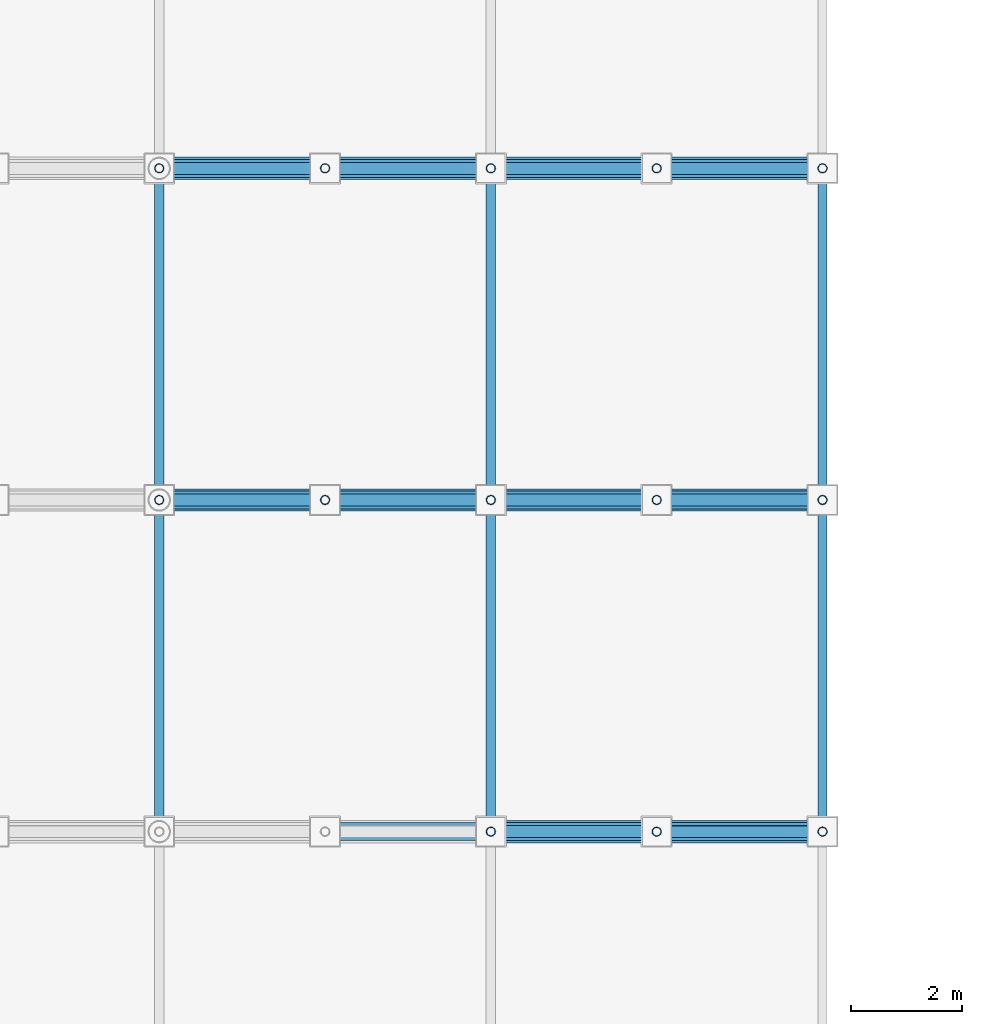
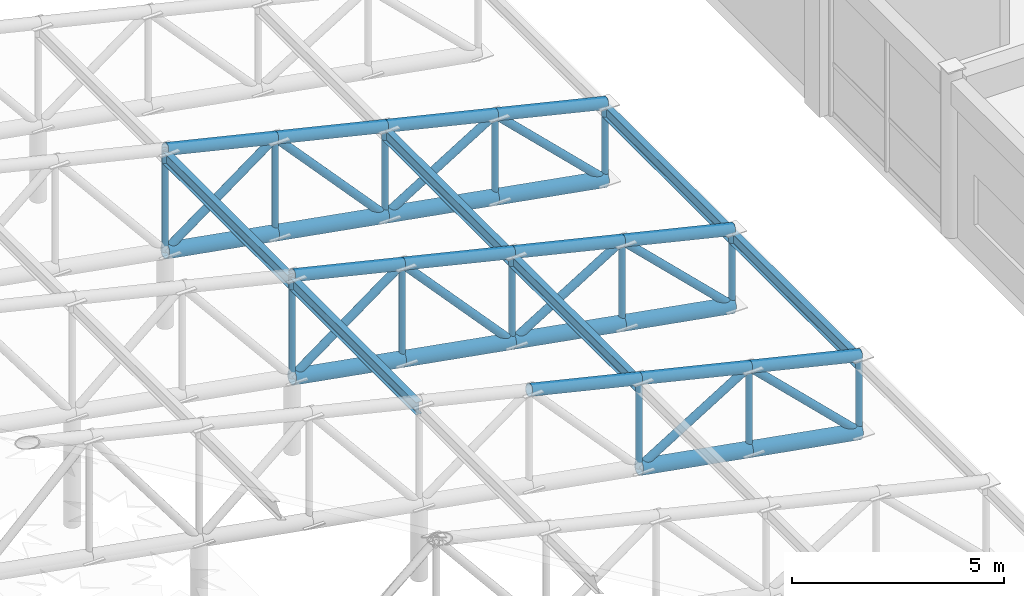
# One storey, part 65 of 112: 44 members, 6 beams.
"""IFC4 building model written with IfcOpenShell, lengths in metres."""

from ifc_helpers import new_model, si_unit, direction, frame, origin, origin_2d, place, context, subcontext, project, spatial, hollow_circle, i_section, extrude, material, material_profile, profile_set, type_object, element, save


model = new_model("IFC4")

# Units and contexts
model_context = context("Model", 3, precision=1e-05, world=origin(), true_north=direction((0.0, 1.0)))
body_context = subcontext(model_context, "Body", "Model", "MODEL_VIEW")
ifc_project = project(units=[si_unit("LENGTHUNIT", "METRE"), si_unit("AREAUNIT", "SQUARE_METRE"), si_unit("VOLUMEUNIT", "CUBIC_METRE"), si_unit("PLANEANGLEUNIT", "RADIAN"), si_unit("MASSUNIT", "GRAM", prefix="KILO"), si_unit("THERMODYNAMICTEMPERATUREUNIT", "KELVIN"), si_unit("POWERUNIT", "WATT")], contexts=[model_context])

# Site, building, storey
site_placement = place(None, origin())
site = spatial("IfcSite", under=ifc_project, at=site_placement, CompositionType="ELEMENT")
building_placement = place(site_placement, origin())
building = spatial("IfcBuilding", under=site, at=building_placement, Name="Phaisarnlok Congress Hotel", CompositionType="ELEMENT")
storey_placement = place(building_placement, frame((0.0, 0.0, 19.800048828125)))
storey = spatial("IfcBuildingStorey", under=building, at=storey_placement, Name="L04", CompositionType="ELEMENT", Elevation=19.800048828125)

# Beams
ifc_material = material(Name="Steel S355", Category="steel")
ifc_material_profile_1 = material_profile(ifc_material, i_section(OverallWidth=0.169921875, OverallDepth=0.360107421875, WebThickness=0.008056640625, FlangeThickness=0.0126953125, FilletRadius=0.01806640625, at=origin_2d()), Name="IPE 360")
ifc_profile_set_1 = profile_set([ifc_material_profile_1], Name="Steel S355")
beam_type = type_object("IfcBeamType", Name="JS-STL-IPE360", PredefinedType="JOIST", material=ifc_profile_set_1)
for number, where, z_axis, x_axis, name in (
    (1, (156.0, 66.0, 2.008056640625), (0.0, 1.0, 0.0), (-1.0, 0.0, 0.0), "Cloister wing roof purlin"),
    (2, (150.0, 66.0, 3.43994140625), (0.0, 1.0, 0.0), (-1.0, 0.0, 0.0), "Cloister wing roof purlin"),
    (3, (144.0, 66.0, 4.8720703125), (0.0, 1.0, 0.0), (-1.0, 0.0, 0.0), "Cloister wing roof purlin"),
    (4, (156.0, 72.0, 2.008056640625), (0.0, 1.0, 0.0), (-1.0, 0.0, 0.0), "Cloister wing roof purlin"),
    (5, (150.0, 72.0, 3.43994140625), (0.0, 1.0, 0.0), (-1.0, 0.0, 0.0), "Cloister wing roof purlin"),
    (6, (144.0, 72.0, 4.8720703125), (0.0, 1.0, 0.0), (-1.0, 0.0, 0.0), "Cloister wing roof purlin"),
):
    element("IfcBeam", number, at=place(storey_placement, frame(where, z_axis=z_axis, x_axis=x_axis)), inside=storey, type_object=beam_type, Name=name, PredefinedType="JOIST", context=body_context, shape_type="SweptSolid", body=[
        extrude(i_section(OverallWidth=0.169921875, OverallDepth=0.360107421875, WebThickness=0.008056640625, FlangeThickness=0.0126953125, FilletRadius=0.01806640625, at=origin_2d()), origin(), (0.0, 0.0, 1.0), 6.0),
    ])

# Members
ifc_material_profile_2 = material_profile(ifc_material, hollow_circle(Radius=0.084228515625, WallThickness=0.010009765625, at=origin_2d()), Name="CHS 168.3x10")
ifc_profile_set_2 = profile_set([ifc_material_profile_2], Name="Steel S355")
member_type_1 = type_object("IfcMemberType", Name="MEM-BRC-CHS168", PredefinedType="BRACE", material=ifc_profile_set_2)
member_1_placement = place(storey_placement, frame((156.0, 66.0, 0.0), z_axis=(0.0, 0.0, 1.0), x_axis=(1.0, 0.0, 0.0)))
element("IfcMember", 7, at=member_1_placement, inside=storey, type_object=member_type_1, Name="Cloister wing roof truss vertical web", PredefinedType="BRACE", context=body_context, shape_type="SweptSolid", body=[
    extrude(hollow_circle(Radius=0.084228515625, WallThickness=0.010009765625, at=origin_2d()), origin(), (0.0, 0.0, 1.0), 2.199951171875),
])
member_2_placement = place(storey_placement, frame((153.0, 66.0, 0.533203125), z_axis=(0.0, 0.0, 1.0), x_axis=(1.0, 0.0, 0.0)))
element("IfcMember", 8, at=member_2_placement, inside=storey, type_object=member_type_1, Name="Cloister wing roof truss vertical web", PredefinedType="BRACE", context=body_context, shape_type="SweptSolid", body=[
    extrude(hollow_circle(Radius=0.084228515625, WallThickness=0.010009765625, at=origin_2d()), origin(), (0.0, 0.0, 1.0), 2.3828125),
])
member_3_placement = place(storey_placement, frame((150.0, 66.0, 1.066650390625), z_axis=(0.0, 0.0, 1.0), x_axis=(1.0, 0.0, 0.0)))
element("IfcMember", 9, at=member_3_placement, inside=storey, type_object=member_type_1, Name="Cloister wing roof truss vertical web", PredefinedType="BRACE", context=body_context, shape_type="SweptSolid", body=[
    extrude(hollow_circle(Radius=0.084228515625, WallThickness=0.010009765625, at=origin_2d()), origin(), (0.0, 0.0, 1.0), 2.5654296875),
])
member_4_placement = place(storey_placement, frame((156.0, 72.0, 0.0), z_axis=(0.0, 0.0, 1.0), x_axis=(1.0, 0.0, 0.0)))
element("IfcMember", 10, at=member_4_placement, inside=storey, type_object=member_type_1, Name="Cloister wing roof truss vertical web", PredefinedType="BRACE", context=body_context, shape_type="SweptSolid", body=[
    extrude(hollow_circle(Radius=0.084228515625, WallThickness=0.010009765625, at=origin_2d()), origin(), (0.0, 0.0, 1.0), 2.199951171875),
])
member_5_placement = place(storey_placement, frame((153.0, 72.0, 0.533203125), z_axis=(0.0, 0.0, 1.0), x_axis=(1.0, 0.0, 0.0)))
element("IfcMember", 11, at=member_5_placement, inside=storey, type_object=member_type_1, Name="Cloister wing roof truss vertical web", PredefinedType="BRACE", context=body_context, shape_type="SweptSolid", body=[
    extrude(hollow_circle(Radius=0.084228515625, WallThickness=0.010009765625, at=origin_2d()), origin(), (0.0, 0.0, 1.0), 2.3828125),
])
member_6_placement = place(storey_placement, frame((150.0, 72.0, 1.066650390625), z_axis=(0.0, 0.0, 1.0), x_axis=(1.0, 0.0, 0.0)))
element("IfcMember", 12, at=member_6_placement, inside=storey, type_object=member_type_1, Name="Cloister wing roof truss vertical web", PredefinedType="BRACE", context=body_context, shape_type="SweptSolid", body=[
    extrude(hollow_circle(Radius=0.084228515625, WallThickness=0.010009765625, at=origin_2d()), origin(), (0.0, 0.0, 1.0), 2.5654296875),
])
member_7_placement = place(storey_placement, frame((147.0, 72.0, 1.599853515625), z_axis=(0.0, 0.0, 1.0), x_axis=(1.0, 0.0, 0.0)))
element("IfcMember", 13, at=member_7_placement, inside=storey, type_object=member_type_1, Name="Cloister wing roof truss vertical web", PredefinedType="BRACE", context=body_context, shape_type="SweptSolid", body=[
    extrude(hollow_circle(Radius=0.084228515625, WallThickness=0.010009765625, at=origin_2d()), origin(), (0.0, 0.0, 1.0), 2.748291015625),
])
member_8_placement = place(storey_placement, frame((144.0, 72.0, 2.13330078125), z_axis=(0.0, 0.0, 1.0), x_axis=(1.0, 0.0, 0.0)))
element("IfcMember", 14, at=member_8_placement, inside=storey, type_object=member_type_1, Name="Cloister wing roof truss vertical web", PredefinedType="BRACE", context=body_context, shape_type="SweptSolid", body=[
    extrude(hollow_circle(Radius=0.084228515625, WallThickness=0.010009765625, at=origin_2d()), origin(), (0.0, 0.0, 1.0), 2.930908203125),
])
member_9_placement = place(storey_placement, frame((156.0, 78.0, 0.0), z_axis=(0.0, 0.0, 1.0), x_axis=(1.0, 0.0, 0.0)))
element("IfcMember", 15, at=member_9_placement, inside=storey, type_object=member_type_1, Name="Cloister wing roof truss vertical web", PredefinedType="BRACE", context=body_context, shape_type="SweptSolid", body=[
    extrude(hollow_circle(Radius=0.084228515625, WallThickness=0.010009765625, at=origin_2d()), origin(), (0.0, 0.0, 1.0), 2.199951171875),
])
member_10_placement = place(storey_placement, frame((153.0, 78.0, 0.533203125), z_axis=(0.0, 0.0, 1.0), x_axis=(1.0, 0.0, 0.0)))
element("IfcMember", 16, at=member_10_placement, inside=storey, type_object=member_type_1, Name="Cloister wing roof truss vertical web", PredefinedType="BRACE", context=body_context, shape_type="SweptSolid", body=[
    extrude(hollow_circle(Radius=0.084228515625, WallThickness=0.010009765625, at=origin_2d()), origin(), (0.0, 0.0, 1.0), 2.3828125),
])
member_11_placement = place(storey_placement, frame((150.0, 78.0, 1.066650390625), z_axis=(0.0, 0.0, 1.0), x_axis=(1.0, 0.0, 0.0)))
element("IfcMember", 17, at=member_11_placement, inside=storey, type_object=member_type_1, Name="Cloister wing roof truss vertical web", PredefinedType="BRACE", context=body_context, shape_type="SweptSolid", body=[
    extrude(hollow_circle(Radius=0.084228515625, WallThickness=0.010009765625, at=origin_2d()), origin(), (0.0, 0.0, 1.0), 2.5654296875),
])
member_12_placement = place(storey_placement, frame((147.0, 78.0, 1.599853515625), z_axis=(0.0, 0.0, 1.0), x_axis=(1.0, 0.0, 0.0)))
element("IfcMember", 18, at=member_12_placement, inside=storey, type_object=member_type_1, Name="Cloister wing roof truss vertical web", PredefinedType="BRACE", context=body_context, shape_type="SweptSolid", body=[
    extrude(hollow_circle(Radius=0.084228515625, WallThickness=0.010009765625, at=origin_2d()), origin(), (0.0, 0.0, 1.0), 2.748291015625),
])
member_13_placement = place(storey_placement, frame((144.0, 78.0, 2.13330078125), z_axis=(0.0, 0.0, 1.0), x_axis=(1.0, 0.0, 0.0)))
element("IfcMember", 19, at=member_13_placement, inside=storey, type_object=member_type_1, Name="Cloister wing roof truss vertical web", PredefinedType="BRACE", context=body_context, shape_type="SweptSolid", body=[
    extrude(hollow_circle(Radius=0.084228515625, WallThickness=0.010009765625, at=origin_2d()), origin(), (0.0, 0.0, 1.0), 2.930908203125),
])
ifc_material_profile_3 = material_profile(ifc_material, hollow_circle(Radius=0.109619140625, WallThickness=0.012451171875, at=origin_2d()), Name="CHS 219.1x12.5")
ifc_profile_set_3 = profile_set([ifc_material_profile_3], Name="Steel S355")
member_type_2 = type_object("IfcMemberType", Name="MEM-BRC-CHS219", PredefinedType="BRACE", material=ifc_profile_set_3)
member_14_placement = place(storey_placement, frame((156.0, 66.0, 0.0), z_axis=(-0.717072690854, 0.0, 0.696998390264), x_axis=(0.0, -1.0, 0.0)))
element("IfcMember", 20, at=member_14_placement, inside=storey, type_object=member_type_2, Name="Cloister wing roof truss diagonal brace", PredefinedType="BRACE", context=body_context, shape_type="SweptSolid", body=[
    extrude(hollow_circle(Radius=0.109619140625, WallThickness=0.012451171875, at=origin_2d()), origin(), (0.0, 0.0, 1.0), 4.18359375),
])
member_15_placement = place(storey_placement, frame((150.0, 66.0, 1.066650390625), z_axis=(0.851251329707, 0.0, 0.524758204959), x_axis=(0.0, 1.0, 0.0)))
element("IfcMember", 21, at=member_15_placement, inside=storey, type_object=member_type_2, Name="Cloister wing roof truss diagonal brace", PredefinedType="BRACE", context=body_context, shape_type="SweptSolid", body=[
    extrude(hollow_circle(Radius=0.109619140625, WallThickness=0.012451171875, at=origin_2d()), origin(), (0.0, 0.0, 1.0), 3.524169921875),
])
member_16_placement = place(storey_placement, frame((156.0, 72.0, 0.0), z_axis=(-0.717072690854, 0.0, 0.696998390264), x_axis=(0.0, -1.0, 0.0)))
element("IfcMember", 22, at=member_16_placement, inside=storey, type_object=member_type_2, Name="Cloister wing roof truss diagonal brace", PredefinedType="BRACE", context=body_context, shape_type="SweptSolid", body=[
    extrude(hollow_circle(Radius=0.109619140625, WallThickness=0.012451171875, at=origin_2d()), origin(), (0.0, 0.0, 1.0), 4.18359375),
])
member_17_placement = place(storey_placement, frame((150.0, 72.0, 1.066650390625), z_axis=(0.851251329707, 0.0, 0.524758204959), x_axis=(0.0, 1.0, 0.0)))
element("IfcMember", 23, at=member_17_placement, inside=storey, type_object=member_type_2, Name="Cloister wing roof truss diagonal brace", PredefinedType="BRACE", context=body_context, shape_type="SweptSolid", body=[
    extrude(hollow_circle(Radius=0.109619140625, WallThickness=0.012451171875, at=origin_2d()), origin(), (0.0, 0.0, 1.0), 3.524169921875),
])
member_18_placement = place(storey_placement, frame((150.0, 72.0, 1.066650390625), z_axis=(-0.674741853636, 0.0, 0.738053813046), x_axis=(0.0, -1.0, 0.0)))
element("IfcMember", 24, at=member_18_placement, inside=storey, type_object=member_type_2, Name="Cloister wing roof truss diagonal brace", PredefinedType="BRACE", context=body_context, shape_type="SweptSolid", body=[
    extrude(hollow_circle(Radius=0.109619140625, WallThickness=0.012451171875, at=origin_2d()), origin(), (0.0, 0.0, 1.0), 4.446044921875),
])
member_19_placement = place(storey_placement, frame((144.0, 72.0, 2.13330078125), z_axis=(0.804502572665, 0.0, 0.593949164975), x_axis=(0.0, 1.0, 0.0)))
element("IfcMember", 25, at=member_19_placement, inside=storey, type_object=member_type_2, Name="Cloister wing roof truss diagonal brace", PredefinedType="BRACE", context=body_context, shape_type="SweptSolid", body=[
    extrude(hollow_circle(Radius=0.109619140625, WallThickness=0.012451171875, at=origin_2d()), origin(), (0.0, 0.0, 1.0), 3.72900390625),
])
member_20_placement = place(storey_placement, frame((156.0, 78.0, 0.0), z_axis=(-0.717072690854, 0.0, 0.696998390264), x_axis=(0.0, -1.0, 0.0)))
element("IfcMember", 26, at=member_20_placement, inside=storey, type_object=member_type_2, Name="Cloister wing roof truss diagonal brace", PredefinedType="BRACE", context=body_context, shape_type="SweptSolid", body=[
    extrude(hollow_circle(Radius=0.109619140625, WallThickness=0.012451171875, at=origin_2d()), origin(), (0.0, 0.0, 1.0), 4.18359375),
])
member_21_placement = place(storey_placement, frame((150.0, 78.0, 1.066650390625), z_axis=(0.851251329707, 0.0, 0.524758204959), x_axis=(0.0, 1.0, 0.0)))
element("IfcMember", 27, at=member_21_placement, inside=storey, type_object=member_type_2, Name="Cloister wing roof truss diagonal brace", PredefinedType="BRACE", context=body_context, shape_type="SweptSolid", body=[
    extrude(hollow_circle(Radius=0.109619140625, WallThickness=0.012451171875, at=origin_2d()), origin(), (0.0, 0.0, 1.0), 3.524169921875),
])
member_22_placement = place(storey_placement, frame((150.0, 78.0, 1.066650390625), z_axis=(-0.674741853636, 0.0, 0.738053813046), x_axis=(0.0, -1.0, 0.0)))
element("IfcMember", 28, at=member_22_placement, inside=storey, type_object=member_type_2, Name="Cloister wing roof truss diagonal brace", PredefinedType="BRACE", context=body_context, shape_type="SweptSolid", body=[
    extrude(hollow_circle(Radius=0.109619140625, WallThickness=0.012451171875, at=origin_2d()), origin(), (0.0, 0.0, 1.0), 4.446044921875),
])
member_23_placement = place(storey_placement, frame((144.0, 78.0, 2.13330078125), z_axis=(0.804502572665, 0.0, 0.593949164975), x_axis=(0.0, 1.0, 0.0)))
element("IfcMember", 29, at=member_23_placement, inside=storey, type_object=member_type_2, Name="Cloister wing roof truss diagonal brace", PredefinedType="BRACE", context=body_context, shape_type="SweptSolid", body=[
    extrude(hollow_circle(Radius=0.109619140625, WallThickness=0.012451171875, at=origin_2d()), origin(), (0.0, 0.0, 1.0), 3.72900390625),
])
ifc_material_profile_4 = material_profile(ifc_material, hollow_circle(Radius=0.161865234375, WallThickness=0.01611328125, at=origin_2d()), Name="CHS 323.9x16")
ifc_profile_set_4 = profile_set([ifc_material_profile_4], Name="Steel S355")
member_type_3 = type_object("IfcMemberType", Name="MEM-CHD-CHS324", PredefinedType="CHORD", material=ifc_profile_set_4)
for number, where, z_axis, x_axis, name in (
    (30, (156.0, 66.0, 2.199951171875), (-0.972676115692, 0.0, 0.232166263617), (0.0, -1.0, 0.0), "Cloister wing roof truss top chord"),
    (31, (153.0, 66.0, 2.916015625), (-0.972676115692, 0.0, 0.232166263617), (0.0, -1.0, 0.0), "Cloister wing roof truss top chord"),
    (32, (150.0, 66.0, 3.632080078125), (-0.972676115692, 0.0, 0.232166263617), (0.0, -1.0, 0.0), "Cloister wing roof truss top chord"),
    (33, (156.0, 72.0, 2.199951171875), (-0.972676115692, 0.0, 0.232166263617), (0.0, -1.0, 0.0), "Cloister wing roof truss top chord"),
    (34, (153.0, 72.0, 2.916015625), (-0.972676115692, 0.0, 0.232166263617), (0.0, -1.0, 0.0), "Cloister wing roof truss top chord"),
    (35, (150.0, 72.0, 3.632080078125), (-0.972676115692, 0.0, 0.232166263617), (0.0, -1.0, 0.0), "Cloister wing roof truss top chord"),
    (36, (147.0, 72.0, 4.34814453125), (-0.972676115692, 0.0, 0.232166263617), (0.0, -1.0, 0.0), "Cloister wing roof truss top chord"),
    (37, (156.0, 78.0, 2.199951171875), (-0.972676115692, 0.0, 0.232166263617), (0.0, -1.0, 0.0), "Cloister wing roof truss top chord"),
    (38, (153.0, 78.0, 2.916015625), (-0.972676115692, 0.0, 0.232166263617), (0.0, -1.0, 0.0), "Cloister wing roof truss top chord"),
    (39, (150.0, 78.0, 3.632080078125), (-0.972676115692, 0.0, 0.232166263617), (0.0, -1.0, 0.0), "Cloister wing roof truss top chord"),
    (40, (147.0, 78.0, 4.34814453125), (-0.972676115692, 0.0, 0.232166263617), (0.0, -1.0, 0.0), "Cloister wing roof truss top chord"),
):
    element("IfcMember", number, at=place(storey_placement, frame(where, z_axis=z_axis, x_axis=x_axis)), inside=storey, type_object=member_type_3, Name=name, PredefinedType="CHORD", context=body_context, shape_type="SweptSolid", body=[
        extrude(hollow_circle(Radius=0.161865234375, WallThickness=0.01611328125, at=origin_2d()), origin(), (0.0, 0.0, 1.0), 3.084228515625),
    ])
ifc_material_profile_5 = material_profile(ifc_material, hollow_circle(Radius=0.203125, WallThickness=0.02001953125, at=origin_2d()), Name="CHS 406.4x20")
ifc_profile_set_5 = profile_set([ifc_material_profile_5], Name="Steel S355")
member_type_4 = type_object("IfcMemberType", Name="MEM-CHD-CHS406", PredefinedType="CHORD", material=ifc_profile_set_5)
for number, where, z_axis, x_axis, name in (
    (41, (156.0, 66.0, 0.0), (-0.984569871158, 0.0, 0.174991910694), (0.0, -1.0, 0.0), "Cloister wing roof truss bottom chord"),
    (42, (153.0, 66.0, 0.533203125), (-0.984556063496, 0.0, 0.175069579976), (0.0, -1.0, 0.0), "Cloister wing roof truss bottom chord"),
    (43, (156.0, 72.0, 0.0), (-0.984569871158, 0.0, 0.174991910694), (0.0, -1.0, 0.0), "Cloister wing roof truss bottom chord"),
    (44, (153.0, 72.0, 0.533203125), (-0.984556063496, 0.0, 0.175069579976), (0.0, -1.0, 0.0), "Cloister wing roof truss bottom chord"),
    (45, (150.0, 72.0, 1.066650390625), (-0.984569871158, 0.0, 0.174991910694), (0.0, -1.0, 0.0), "Cloister wing roof truss bottom chord"),
    (46, (147.0, 72.0, 1.599853515625), (-0.984556063496, 0.0, 0.175069579976), (0.0, -1.0, 0.0), "Cloister wing roof truss bottom chord"),
    (47, (156.0, 78.0, 0.0), (-0.984569871158, 0.0, 0.174991910694), (0.0, -1.0, 0.0), "Cloister wing roof truss bottom chord"),
    (48, (153.0, 78.0, 0.533203125), (-0.984556063496, 0.0, 0.175069579976), (0.0, -1.0, 0.0), "Cloister wing roof truss bottom chord"),
    (49, (150.0, 78.0, 1.066650390625), (-0.984569871158, 0.0, 0.174991910694), (0.0, -1.0, 0.0), "Cloister wing roof truss bottom chord"),
    (50, (147.0, 78.0, 1.599853515625), (-0.984556063496, 0.0, 0.175069579976), (0.0, -1.0, 0.0), "Cloister wing roof truss bottom chord"),
):
    element("IfcMember", number, at=place(storey_placement, frame(where, z_axis=z_axis, x_axis=x_axis)), inside=storey, type_object=member_type_4, Name=name, PredefinedType="CHORD", context=body_context, shape_type="SweptSolid", body=[
        extrude(hollow_circle(Radius=0.203125, WallThickness=0.02001953125, at=origin_2d()), origin(), (0.0, 0.0, 1.0), 3.047119140625),
    ])

save(model, "model.ifc")
